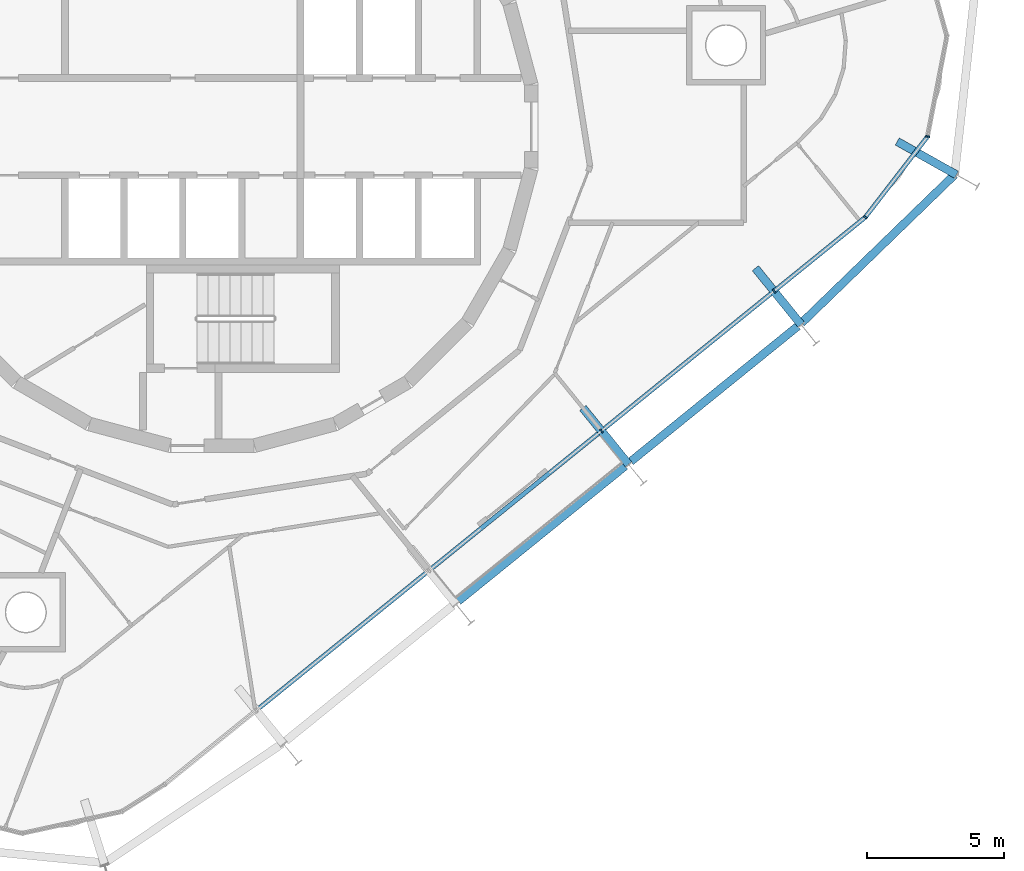
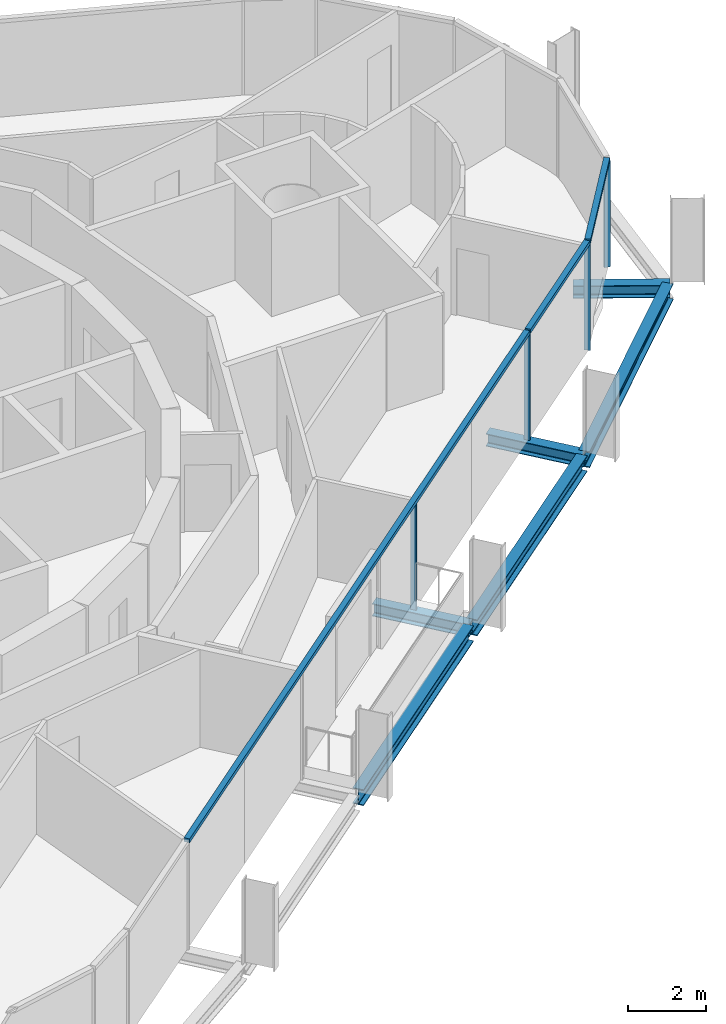
# One storey, part 4 of 17: 7 members, 6 beams, 2 elements without a shape of their own.
"""IFC4 building model written with IfcOpenShell, lengths in metres."""

from ifc_helpers import new_model, si_unit, direction, frame, origin, origin_2d, place, context, subcontext, project, spatial, rectangle, i_section, extrude, material, layer, layer_set, material_profile, profile_set, type_object, element, aggregate, save


model = new_model("IFC4")

# Units and contexts
model_context = context("Model", 3, precision=1e-05, world=origin(), true_north=direction((0.0, 1.0)))
body_context = subcontext(model_context, "Body", "Model", "MODEL_VIEW")
ifc_project = project(units=[si_unit("LENGTHUNIT", "METRE"), si_unit("AREAUNIT", "SQUARE_METRE"), si_unit("VOLUMEUNIT", "CUBIC_METRE"), si_unit("PLANEANGLEUNIT", "RADIAN"), si_unit("MASSUNIT", "GRAM", prefix="KILO")], contexts=[model_context])

# Site, building, storey
site_placement = place(None, origin())
site = spatial("IfcSite", under=ifc_project, at=site_placement, CompositionType="ELEMENT")
building_placement = place(site_placement, origin())
building = spatial("IfcBuilding", under=site, at=building_placement, Name="Spindle Arch Residences", CompositionType="ELEMENT")
storey_placement = place(building_placement, frame((0.0, 0.0, 287.89990234375)))
storey = spatial("IfcBuildingStorey", under=building, at=storey_placement, Name="L74", CompositionType="ELEMENT", Elevation=287.89990234375)

# Curtain wall, members
ifc_material_1 = material(Name="Aluminium bronze unitised frame with tinted glass", Category="aluminium")
ifc_layer_1 = layer(ifc_material_1, 0.159912109375)
ifc_layer_set_1 = layer_set([ifc_layer_1], Name="CW-D corner wall on the fillet arcs")
curtain_wall_type_1 = type_object("IfcCurtainWallType", Name="CW-D corner wall on the fillet arcs", PredefinedType="NOTDEFINED", material=ifc_layer_set_1)
curtain_wall_1_placement = place(storey_placement, origin())
curtain_wall_1 = element("IfcCurtainWall", 1, at=curtain_wall_1_placement, inside=storey, type_object=curtain_wall_type_1, Name="CW-D L74 run 1", PredefinedType="NOTDEFINED")
ifc_material_2 = material(Name="Aluminium bronze anodised mullion", Category="aluminium")
ifc_material_profile_1 = material_profile(ifc_material_2, rectangle(XDim=0.159912109375, YDim=0.06005859375, at=origin_2d()), Name="MU 60x160")
ifc_profile_set_1 = profile_set([ifc_material_profile_1], Name="Aluminium bronze anodised mullion")
member_type_1 = type_object("IfcMemberType", Name="Bronze mullion 60x160", PredefinedType="MULLION", material=ifc_profile_set_1)
member_1_placement = place(storey_placement, frame((20.512451171875, -6.006103515625, -0.3798828125), z_axis=(0.0, 0.0, 1.0), x_axis=(-0.62932039105, 0.777145961457, 0.0)))
member_1 = element("IfcMember", 2, at=member_1_placement, type_object=member_type_1, Name="CW-D mullion 00", PredefinedType="MULLION", context=body_context, shape_type="SweptSolid", body=[
    extrude(rectangle(XDim=0.159912109375, YDim=0.06005859375, at=origin_2d()), origin(), (0.0, 0.0, 1.0), 3.31005859375),
])
member_2_placement = place(storey_placement, frame((23.84423828125, -3.30810546875, -0.3798828125), z_axis=(0.0, 0.0, 1.0), x_axis=(-0.791579170105, 0.611066622764, 0.0)))
member_2 = element("IfcMember", 3, at=member_2_placement, type_object=member_type_1, Name="CW-D mullion 01", PredefinedType="MULLION", context=body_context, shape_type="SweptSolid", body=[
    extrude(rectangle(XDim=0.159912109375, YDim=0.06005859375, at=origin_2d()), origin(), (0.0, 0.0, 1.0), 3.31005859375),
])
member_3_placement = place(storey_placement, frame((26.12158203125, -0.358154296875, -0.3798828125), z_axis=(0.0, 0.0, 1.0), x_axis=(-0.981627183558, 0.190808994811, 0.0)))
member_3 = element("IfcMember", 4, at=member_3_placement, type_object=member_type_1, Name="CW-D mullion 02", PredefinedType="MULLION", context=body_context, shape_type="SweptSolid", body=[
    extrude(rectangle(XDim=0.159912109375, YDim=0.06005859375, at=origin_2d()), origin(), (0.0, 0.0, 1.0), 3.31005859375),
])

# Curtain wall, member
ifc_material_3 = material(Name="Aluminium bronze unitised frame with tinted glass", Category="aluminium")
ifc_layer_2 = layer(ifc_material_3, 0.159912109375)
ifc_layer_set_2 = layer_set([ifc_layer_2], Name="CW-C typical residential unitised wall")
curtain_wall_type_2 = type_object("IfcCurtainWallType", Name="CW-C typical residential unitised wall", PredefinedType="NOTDEFINED", material=ifc_layer_set_2)
curtain_wall_2_placement = place(storey_placement, origin())
curtain_wall_2 = element("IfcCurtainWall", 5, at=curtain_wall_2_placement, inside=storey, type_object=curtain_wall_type_2, Name="CW-C L74 run 6", PredefinedType="NOTDEFINED")
member_4_placement = place(storey_placement, frame((14.211669921875, -11.1083984375, -0.3798828125), z_axis=(0.0, 0.0, 1.0), x_axis=(-0.62932039105, 0.777145961457, 0.0)))
member_4 = element("IfcMember", 6, at=member_4_placement, type_object=member_type_1, Name="CW-C mullion 00", PredefinedType="MULLION", context=body_context, shape_type="SweptSolid", body=[
    extrude(rectangle(XDim=0.159912109375, YDim=0.06005859375, at=origin_2d()), origin(), (0.0, 0.0, 1.0), 3.31005859375),
])

# Member
ifc_material_4 = material(Name="Aluminium bronze anodised transom", Category="aluminium")
ifc_material_profile_2 = material_profile(ifc_material_4, rectangle(XDim=0.159912109375, YDim=0.1201171875, at=origin_2d()), Name="TR 120x160")
ifc_profile_set_2 = profile_set([ifc_material_profile_2], Name="Aluminium bronze anodised transom")
member_type_2 = type_object("IfcMemberType", Name="Bronze transom 120x160", PredefinedType="USERDEFINED", material=ifc_profile_set_2)
member_5_placement = place(storey_placement, frame((20.535888671875, -5.9873046875, 2.989990234375), z_axis=(0.777158783918, 0.6293045563, 0.0), x_axis=(-0.6293045563, 0.777158783918, 0.0)))
member_5 = element("IfcMember", 7, at=member_5_placement, type_object=member_type_2, Name="CW-D transom 00", ObjectType="TRANSOM", PredefinedType="USERDEFINED", context=body_context, shape_type="SweptSolid", body=[
    extrude(rectangle(XDim=0.159912109375, YDim=0.1201171875, at=origin_2d()), origin(), (0.0, 0.0, 1.0), 4.22705078125),
])

member_6_placement = place(storey_placement, frame((23.862548828125, -3.284423828125, 2.989990234375), z_axis=(0.611074135379, 0.791573370617, 0.0), x_axis=(-0.791573370617, 0.611074135379, 0.0)))
member_6 = element("IfcMember", 8, at=member_6_placement, type_object=member_type_2, Name="CW-D transom 01", ObjectType="TRANSOM", PredefinedType="USERDEFINED", context=body_context, shape_type="SweptSolid", body=[
    extrude(rectangle(XDim=0.159912109375, YDim=0.1201171875, at=origin_2d()), origin(), (0.0, 0.0, 1.0), 3.666748046875),
])

aggregate(curtain_wall_1, [member_1, member_5, member_2, member_6, member_3])

member_7_placement = place(storey_placement, frame((1.633544921875, -21.294189453125, 2.989990234375), z_axis=(0.777146208679, 0.629320085756, 0.0), x_axis=(-0.629320085756, 0.777146208679, 0.0)))
member_7 = element("IfcMember", 9, at=member_7_placement, type_object=member_type_2, Name="CW-C transom 00", ObjectType="TRANSOM", PredefinedType="USERDEFINED", context=body_context, shape_type="SweptSolid", body=[
    extrude(rectangle(XDim=0.159912109375, YDim=0.1201171875, at=origin_2d()), origin(), (0.0, 0.0, 1.0), 24.2626953125),
])

aggregate(curtain_wall_2, [member_7, member_4])

# Beams
ifc_material_5 = material(Name="Steel S460ML, intumescent coating R 120", Category="steel")
ifc_material_profile_3 = material_profile(ifc_material_5, i_section(OverallWidth=0.300048828125, OverallDepth=0.5, WebThickness=0.014404296875, FlangeThickness=0.028076171875, FilletRadius=0.027099609375, at=origin_2d()), Name="HEB 500")
ifc_profile_set_3 = profile_set([ifc_material_profile_3], Name="Steel S460ML, intumescent coating R 120")
beam_type_1 = type_object("IfcBeamType", Name="Exoskeleton edge beam HEB 500", PredefinedType="BEAM", material=ifc_profile_set_3)
beam_1_placement = place(storey_placement, frame((15.281982421875, -12.223388671875, -0.6298828125), z_axis=(0.777152125993, 0.629312778406, 0.0), x_axis=(-0.629312778406, 0.777152125993, 0.0)))
element("IfcBeam", 10, at=beam_1_placement, inside=storey, type_object=beam_type_1, Name="Exoskeleton edge beam 1", PredefinedType="BEAM", context=body_context, shape_type="SweptSolid", body=[
    extrude(i_section(OverallWidth=0.300048828125, OverallDepth=0.5, WebThickness=0.014404296875, FlangeThickness=0.028076171875, FilletRadius=0.027099609375, at=origin_2d()), origin(), (0.0, 0.0, 1.0), 7.847412109375),
])
beam_2_placement = place(storey_placement, frame((21.51025390625, -7.176025390625, -0.6298828125), z_axis=(0.718254418366, 0.695780562029, 0.0), x_axis=(-0.695780562029, 0.718254418366, 0.0)))
element("IfcBeam", 11, at=beam_2_placement, inside=storey, type_object=beam_type_1, Name="Exoskeleton edge beam 2", PredefinedType="BEAM", context=body_context, shape_type="SweptSolid", body=[
    extrude(i_section(OverallWidth=0.300048828125, OverallDepth=0.5, WebThickness=0.014404296875, FlangeThickness=0.028076171875, FilletRadius=0.027099609375, at=origin_2d()), origin(), (0.0, 0.0, 1.0), 7.7890625),
])
beam_3_placement = place(storey_placement, frame((8.981201171875, -17.32568359375, -0.6298828125), z_axis=(0.777152125993, 0.629312778406, 0.0), x_axis=(-0.629312778406, 0.777152125993, 0.0)))
element("IfcBeam", 12, at=beam_3_placement, inside=storey, type_object=beam_type_1, Name="Exoskeleton edge beam 20", PredefinedType="BEAM", context=body_context, shape_type="SweptSolid", body=[
    extrude(i_section(OverallWidth=0.300048828125, OverallDepth=0.5, WebThickness=0.014404296875, FlangeThickness=0.028076171875, FilletRadius=0.027099609375, at=origin_2d()), origin(), (0.0, 0.0, 1.0), 7.847412109375),
])
ifc_material_6 = material(Name="Steel S460ML, intumescent coating R 120", Category="steel")
ifc_material_profile_4 = material_profile(ifc_material_6, i_section(OverallWidth=0.300048828125, OverallDepth=0.389892578125, WebThickness=0.010986328125, FlangeThickness=0.01904296875, FilletRadius=0.027099609375, at=origin_2d()), Name="HEA 400")
ifc_profile_set_4 = profile_set([ifc_material_profile_4], Name="Steel S460ML, intumescent coating R 120")
beam_type_2 = type_object("IfcBeamType", Name="Floor outrigger HEA 400", PredefinedType="BEAM", material=ifc_profile_set_4)
for number, where, z_axis, x_axis, name in (
    (13, (15.19970703125, -12.32861328125, -0.574951171875), (-0.629301579077, 0.777161194715, 0.0), (-0.777161194715, -0.629301579077, 0.0), "Floor outrigger 1"),
    (14, (21.50048828125, -7.226318359375, -0.574951171875), (-0.629301579077, 0.777161194715, 0.0), (-0.777161194715, -0.629301579077, 0.0), "Floor outrigger 2"),
):
    element("IfcBeam", number, at=place(storey_placement, frame(where, z_axis=z_axis, x_axis=x_axis)), inside=storey, type_object=beam_type_2, Name=name, PredefinedType="BEAM", context=body_context, shape_type="SweptSolid", body=[
        extrude(i_section(OverallWidth=0.300048828125, OverallDepth=0.389892578125, WebThickness=0.010986328125, FlangeThickness=0.01904296875, FilletRadius=0.027099609375, at=origin_2d()), origin(), (0.0, 0.0, 1.0), 2.650146484375),
    ])
beam_4_placement = place(storey_placement, frame((27.172607421875, -1.75537109375, -0.574951171875), z_axis=(-0.871838442856, 0.489793558102, 0.0), x_axis=(-0.489793558102, -0.871838442856, 0.0)))
element("IfcBeam", 15, at=beam_4_placement, inside=storey, type_object=beam_type_2, Name="Floor outrigger 3", PredefinedType="BEAM", context=body_context, shape_type="SweptSolid", body=[
    extrude(i_section(OverallWidth=0.300048828125, OverallDepth=0.389892578125, WebThickness=0.010986328125, FlangeThickness=0.01904296875, FilletRadius=0.027099609375, at=origin_2d()), origin(), (0.0, 0.0, 1.0), 2.478759765625),
])

save(model, "model.ifc")
